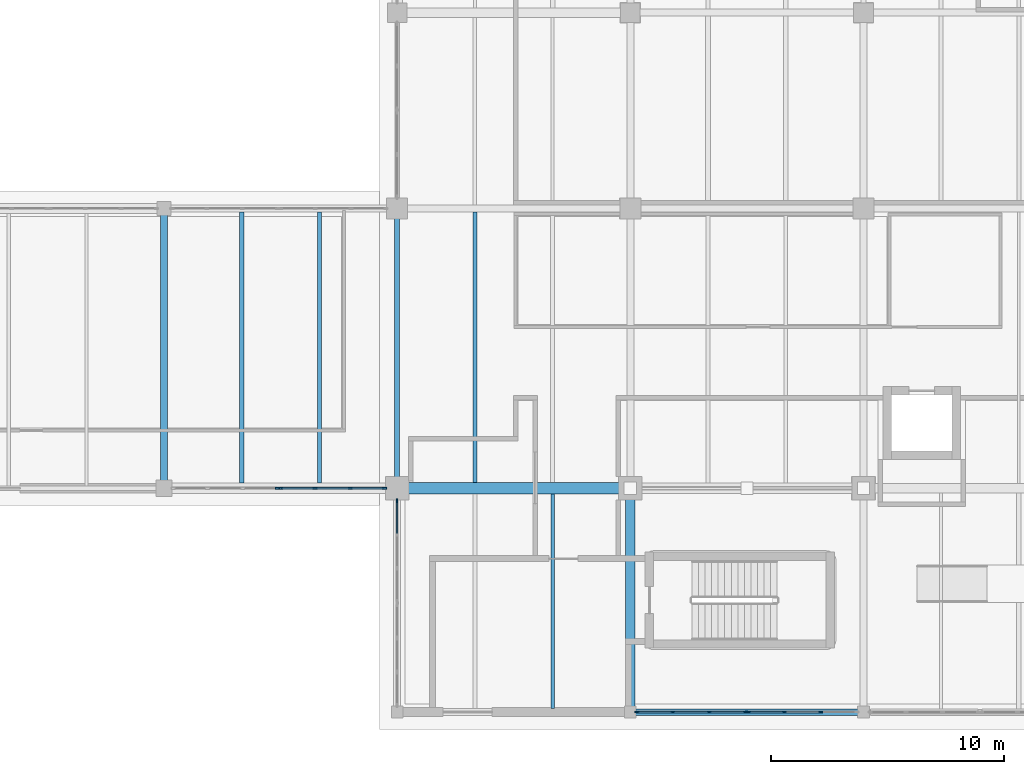
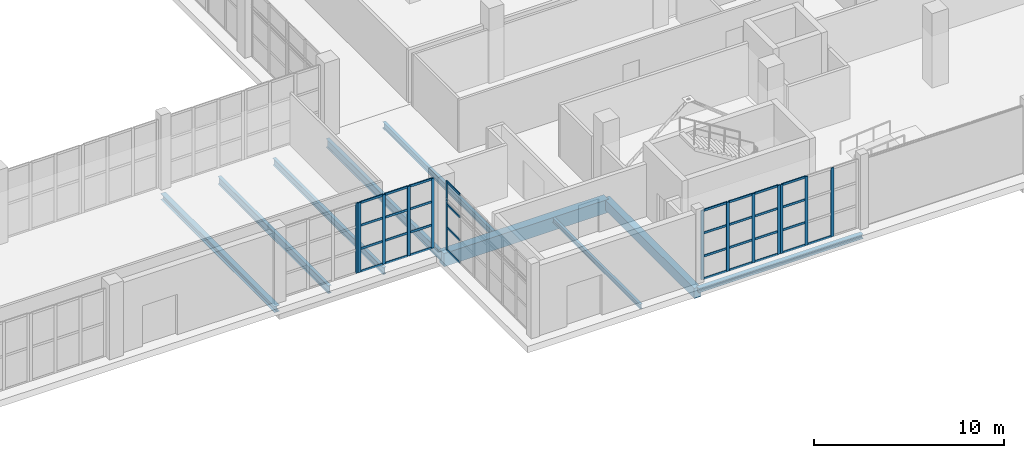
# One storey, part 32 of 121: 46 members, 9 beams, 5 elements without a shape of their own.
"""IFC4 building model written with IfcOpenShell, lengths in metres."""

from ifc_helpers import new_model, si_unit, direction, frame, origin, origin_2d, place, context, subcontext, project, spatial, rectangle, i_section, extrude, material, layer, layer_set, material_profile, profile_set, type_object, element, aggregate, save


model = new_model("IFC4")

# Units and contexts
model_context = context("Model", 3, precision=1e-05, world=origin(), true_north=direction((0.0, 1.0)))
body_context = subcontext(model_context, "Body", "Model", "MODEL_VIEW")
ifc_project = project(units=[si_unit("LENGTHUNIT", "METRE"), si_unit("AREAUNIT", "SQUARE_METRE"), si_unit("VOLUMEUNIT", "CUBIC_METRE"), si_unit("PLANEANGLEUNIT", "RADIAN"), si_unit("MASSUNIT", "GRAM", prefix="KILO")], contexts=[model_context])

# Site, building, storey
site_placement = place(None, origin())
site = spatial("IfcSite", under=ifc_project, at=site_placement, CompositionType="ELEMENT")
building_placement = place(site_placement, origin())
building = spatial("IfcBuilding", under=site, at=building_placement, Name="Zereglee Splitstone Museum", CompositionType="ELEMENT")
storey_placement = place(building_placement, origin())
storey = spatial("IfcBuildingStorey", under=building, at=storey_placement, Name="L00", CompositionType="ELEMENT", Elevation=0.0)

# Beams
ifc_material_1 = material(Name="Concrete C40/50", Category="concrete")
ifc_material_profile_1 = material_profile(ifc_material_1, rectangle(XDim=0.39990234375, YDim=0.64990234375, at=origin_2d()), Name="RC 400x650")
ifc_profile_set_1 = profile_set([ifc_material_profile_1], Name="Concrete C40/50")
beam_type_1 = type_object("IfcBeamType", Name="BG-04", PredefinedType="BEAM", material=ifc_profile_set_1)
beam_1_placement = place(storey_placement, frame((185.199951171875, 0.0, -0.7451171875), z_axis=(0.0, 1.0, 0.0), x_axis=(-1.0, 0.0, 0.0)))
element("IfcBeam", 1, at=beam_1_placement, inside=storey, type_object=beam_type_1, Name="Primary Girder L00 21 (0.0-9.6)", PredefinedType="BEAM", context=body_context, shape_type="SweptSolid", body=[
    extrude(rectangle(XDim=0.39990234375, YDim=0.64990234375, at=origin_2d()), origin(), (0.0, 0.0, 1.0), 9.60009765625),
])
ifc_material_profile_2 = material_profile(ifc_material_1, rectangle(XDim=0.5, YDim=0.85009765625, at=origin_2d()), Name="RC 500x850")
ifc_profile_set_2 = profile_set([ifc_material_profile_2], Name="Concrete C40/50")
beam_type_2 = type_object("IfcBeamType", Name="BG-02", PredefinedType="BEAM", material=ifc_profile_set_2)
beam_2_placement = place(storey_placement, frame((175.199951171875, 9.60009765625, -0.844970703125), z_axis=(1.0, 0.0, 0.0), x_axis=(0.0, 1.0, 0.0)))
element("IfcBeam", 2, at=beam_2_placement, inside=storey, type_object=beam_type_2, Name="Primary Girder L00 B (175.2-185.2)", PredefinedType="BEAM", context=body_context, shape_type="SweptSolid", body=[
    extrude(rectangle(XDim=0.5, YDim=0.85009765625, at=origin_2d()), origin(), (0.0, 0.0, 1.0), 10.0),
])

# Curtain wall, members
ifc_material_2 = material(Name="Triple-glazed low-E argon glass and bronze-anodised aluminium", Category="aluminium")
ifc_layer_1 = layer(ifc_material_2, 0.179931640625)
ifc_layer_set_1 = layer_set([ifc_layer_1], Name="Triple-glazed low-E argon glass and bronze-anodised aluminium")
curtain_wall_type_1 = type_object("IfcCurtainWallType", Name="CW-0470-444", PredefinedType="USERDEFINED", material=ifc_layer_set_1)
curtain_wall_1_placement = place(storey_placement, origin())
curtain_wall_1 = element("IfcCurtainWall", 3, at=curtain_wall_1_placement, inside=storey, type_object=curtain_wall_type_1, Name="Glazed Curtain Wall CW-0470-444 (L00)", ObjectType="GLAZED CURTAIN WALL", PredefinedType="USERDEFINED")
ifc_material_3 = material(Name="Thermally broken bronze-anodised aluminium", Category="aluminium")
ifc_material_profile_3 = material_profile(ifc_material_3, rectangle(XDim=0.06494140625, YDim=0.179931640625, at=origin_2d()), Name="CW MULL 65x180")
ifc_profile_set_3 = profile_set([ifc_material_profile_3], Name="Thermally broken bronze-anodised aluminium")
member_type_1 = type_object("IfcMemberType", Name="CWM-01", PredefinedType="MULLION", material=ifc_profile_set_3)
member_1_placement = place(storey_placement, frame((185.490478515625, 0.0, 0.0), z_axis=(0.0, 0.0, 1.0), x_axis=(0.0, 1.0, 0.0)))
member_1 = element("IfcMember", 4, at=member_1_placement, type_object=member_type_1, Name="CW-0470-444 mullion 1", PredefinedType="MULLION", context=body_context, shape_type="SweptSolid", body=[
    extrude(rectangle(XDim=0.06494140625, YDim=0.179931640625, at=origin_2d()), origin(), (0.0, 0.0, 1.0), 4.43994140625),
])
member_2_placement = place(storey_placement, frame((187.025390625, 0.0, 0.0), z_axis=(0.0, 0.0, 1.0), x_axis=(0.0, 1.0, 0.0)))
member_2 = element("IfcMember", 5, at=member_2_placement, type_object=member_type_1, Name="CW-0470-444 mullion 2", PredefinedType="MULLION", context=body_context, shape_type="SweptSolid", body=[
    extrude(rectangle(XDim=0.06494140625, YDim=0.179931640625, at=origin_2d()), origin(), (0.0, 0.0, 1.0), 4.43994140625),
])
member_3_placement = place(storey_placement, frame((188.5927734375, 0.0, 0.0), z_axis=(0.0, 0.0, 1.0), x_axis=(0.0, 1.0, 0.0)))
member_3 = element("IfcMember", 6, at=member_3_placement, type_object=member_type_1, Name="CW-0470-444 mullion 3", PredefinedType="MULLION", context=body_context, shape_type="SweptSolid", body=[
    extrude(rectangle(XDim=0.06494140625, YDim=0.179931640625, at=origin_2d()), origin(), (0.0, 0.0, 1.0), 4.43994140625),
])
member_4_placement = place(storey_placement, frame((190.12744140625, 0.0, 0.0), z_axis=(0.0, 0.0, 1.0), x_axis=(0.0, 1.0, 0.0)))
member_4 = element("IfcMember", 7, at=member_4_placement, type_object=member_type_1, Name="CW-0470-444 mullion 4", PredefinedType="MULLION", context=body_context, shape_type="SweptSolid", body=[
    extrude(rectangle(XDim=0.06494140625, YDim=0.179931640625, at=origin_2d()), origin(), (0.0, 0.0, 1.0), 4.43994140625),
])

ifc_layer_2 = layer(ifc_material_2, 0.179931640625)
ifc_layer_set_2 = layer_set([ifc_layer_2], Name="Triple-glazed low-E argon glass and bronze-anodised aluminium")
curtain_wall_type_2 = type_object("IfcCurtainWallType", Name="CW-0470-442", PredefinedType="USERDEFINED", material=ifc_layer_set_2)
curtain_wall_2_placement = place(storey_placement, origin())
curtain_wall_2 = element("IfcCurtainWall", 8, at=curtain_wall_2_placement, inside=storey, type_object=curtain_wall_type_2, Name="Glazed Curtain Wall CW-0470-442 (L00)", ObjectType="GLAZED CURTAIN WALL", PredefinedType="USERDEFINED")
member_5_placement = place(storey_placement, frame((190.2724609375, 0.0, 0.0), z_axis=(0.0, 0.0, 1.0), x_axis=(0.0, 1.0, 0.0)))
member_5 = element("IfcMember", 9, at=member_5_placement, type_object=member_type_1, Name="CW-0470-442 mullion 1", PredefinedType="MULLION", context=body_context, shape_type="SweptSolid", body=[
    extrude(rectangle(XDim=0.06494140625, YDim=0.179931640625, at=origin_2d()), origin(), (0.0, 0.0, 1.0), 4.419921875),
])
member_6_placement = place(storey_placement, frame((191.807373046875, 0.0, 0.0), z_axis=(0.0, 0.0, 1.0), x_axis=(0.0, 1.0, 0.0)))
member_6 = element("IfcMember", 10, at=member_6_placement, type_object=member_type_1, Name="CW-0470-442 mullion 2", PredefinedType="MULLION", context=body_context, shape_type="SweptSolid", body=[
    extrude(rectangle(XDim=0.06494140625, YDim=0.179931640625, at=origin_2d()), origin(), (0.0, 0.0, 1.0), 4.419921875),
])
member_7_placement = place(storey_placement, frame((193.374755859375, 0.0, 0.0), z_axis=(0.0, 0.0, 1.0), x_axis=(0.0, 1.0, 0.0)))
member_7 = element("IfcMember", 11, at=member_7_placement, type_object=member_type_1, Name="CW-0470-442 mullion 3", PredefinedType="MULLION", context=body_context, shape_type="SweptSolid", body=[
    extrude(rectangle(XDim=0.06494140625, YDim=0.179931640625, at=origin_2d()), origin(), (0.0, 0.0, 1.0), 4.419921875),
])

# Curtain wall, member
ifc_layer_3 = layer(ifc_material_2, 0.179931640625)
ifc_layer_set_3 = layer_set([ifc_layer_3], Name="Triple-glazed low-E argon glass and bronze-anodised aluminium")
curtain_wall_type_3 = type_object("IfcCurtainWallType", Name="CW-0453-450", PredefinedType="USERDEFINED", material=ifc_layer_set_3)
curtain_wall_3_placement = place(storey_placement, origin())
curtain_wall_3 = element("IfcCurtainWall", 12, at=curtain_wall_3_placement, inside=storey, type_object=curtain_wall_type_3, Name="Glazed Curtain Wall CW-0453-450 (L00)", ObjectType="GLAZED CURTAIN WALL", PredefinedType="USERDEFINED")
member_8_placement = place(storey_placement, frame((170.052490234375, 9.60009765625, 0.0), z_axis=(0.0, 0.0, 1.0), x_axis=(0.0, 1.0, 0.0)))
member_8 = element("IfcMember", 13, at=member_8_placement, type_object=member_type_1, Name="CW-0453-450 mullion 4", PredefinedType="MULLION", context=body_context, shape_type="SweptSolid", body=[
    extrude(rectangle(XDim=0.06494140625, YDim=0.179931640625, at=origin_2d()), origin(), (0.0, 0.0, 1.0), 4.5),
])
aggregate(curtain_wall_3, [member_8])

# Curtain wall, members
ifc_layer_4 = layer(ifc_material_2, 0.179931640625)
ifc_layer_set_4 = layer_set([ifc_layer_4], Name="Triple-glazed low-E argon glass and bronze-anodised aluminium")
curtain_wall_type_4 = type_object("IfcCurtainWallType", Name="CW-0453-448", PredefinedType="USERDEFINED", material=ifc_layer_set_4)
curtain_wall_4_placement = place(storey_placement, origin())
curtain_wall_4 = element("IfcCurtainWall", 14, at=curtain_wall_4_placement, inside=storey, type_object=curtain_wall_type_4, Name="Glazed Curtain Wall CW-0453-448 (L00)", ObjectType="GLAZED CURTAIN WALL", PredefinedType="USERDEFINED")
member_9_placement = place(storey_placement, frame((170.197509765625, 9.60009765625, 0.0), z_axis=(0.0, 0.0, 1.0), x_axis=(0.0, 1.0, 0.0)))
member_9 = element("IfcMember", 15, at=member_9_placement, type_object=member_type_1, Name="CW-0453-448 mullion 1", PredefinedType="MULLION", context=body_context, shape_type="SweptSolid", body=[
    extrude(rectangle(XDim=0.06494140625, YDim=0.179931640625, at=origin_2d()), origin(), (0.0, 0.0, 1.0), 4.47998046875),
])
member_10_placement = place(storey_placement, frame((171.674072265625, 9.60009765625, 0.0), z_axis=(0.0, 0.0, 1.0), x_axis=(0.0, 1.0, 0.0)))
member_10 = element("IfcMember", 16, at=member_10_placement, type_object=member_type_1, Name="CW-0453-448 mullion 2", PredefinedType="MULLION", context=body_context, shape_type="SweptSolid", body=[
    extrude(rectangle(XDim=0.06494140625, YDim=0.179931640625, at=origin_2d()), origin(), (0.0, 0.0, 1.0), 4.47998046875),
])
member_11_placement = place(storey_placement, frame((173.18310546875, 9.60009765625, 0.0), z_axis=(0.0, 0.0, 1.0), x_axis=(0.0, 1.0, 0.0)))
member_11 = element("IfcMember", 17, at=member_11_placement, type_object=member_type_1, Name="CW-0453-448 mullion 3", PredefinedType="MULLION", context=body_context, shape_type="SweptSolid", body=[
    extrude(rectangle(XDim=0.06494140625, YDim=0.179931640625, at=origin_2d()), origin(), (0.0, 0.0, 1.0), 4.47998046875),
])
member_12_placement = place(storey_placement, frame((174.659423828125, 9.60009765625, 0.0), z_axis=(0.0, 0.0, 1.0), x_axis=(0.0, 1.0, 0.0)))
member_12 = element("IfcMember", 18, at=member_12_placement, type_object=member_type_1, Name="CW-0453-448 mullion 4", PredefinedType="MULLION", context=body_context, shape_type="SweptSolid", body=[
    extrude(rectangle(XDim=0.06494140625, YDim=0.179931640625, at=origin_2d()), origin(), (0.0, 0.0, 1.0), 4.47998046875),
])

# Curtain wall, member
ifc_layer_5 = layer(ifc_material_2, 0.179931640625)
ifc_layer_set_5 = layer_set([ifc_layer_5], Name="Triple-glazed low-E argon glass and bronze-anodised aluminium")
curtain_wall_type_5 = type_object("IfcCurtainWallType", Name="CW-0438-444", PredefinedType="USERDEFINED", material=ifc_layer_set_5)
curtain_wall_5_placement = place(storey_placement, origin())
curtain_wall_5 = element("IfcCurtainWall", 19, at=curtain_wall_5_placement, inside=storey, type_object=curtain_wall_type_5, Name="Glazed Curtain Wall CW-0438-444 (L00)", ObjectType="GLAZED CURTAIN WALL", PredefinedType="USERDEFINED")
member_13_placement = place(storey_placement, frame((175.199951171875, 9.0595703125, 0.0), z_axis=(0.0, 0.0, 1.0), x_axis=(1.0, 0.0, 0.0)))
member_13 = element("IfcMember", 20, at=member_13_placement, type_object=member_type_1, Name="CW-0438-444 mullion 1", PredefinedType="MULLION", context=body_context, shape_type="SweptSolid", body=[
    extrude(rectangle(XDim=0.06494140625, YDim=0.179931640625, at=origin_2d()), origin(), (0.0, 0.0, 1.0), 4.43994140625),
])

# Member
ifc_material_profile_4 = material_profile(ifc_material_3, rectangle(XDim=0.06494140625, YDim=0.139892578125, at=origin_2d()), Name="CW TRAN 65x140")
ifc_profile_set_4 = profile_set([ifc_material_profile_4], Name="Thermally broken bronze-anodised aluminium")
member_type_2 = type_object("IfcMemberType", Name="CWT-01", PredefinedType="USERDEFINED", material=ifc_profile_set_4)
member_14_placement = place(storey_placement, frame((185.52294921875, 0.0, 0.032470703125), z_axis=(1.0, 0.0, 0.0), x_axis=(0.0, 1.0, 0.0)))
member_14 = element("IfcMember", 21, at=member_14_placement, type_object=member_type_2, Name="CW-0470-444 transom 1.1", ObjectType="TRANSOM", PredefinedType="USERDEFINED", context=body_context, shape_type="SweptSolid", body=[
    extrude(rectangle(XDim=0.06494140625, YDim=0.139892578125, at=origin_2d()), origin(), (0.0, 0.0, 1.0), 1.469970703125),
])

member_15_placement = place(storey_placement, frame((185.52294921875, 0.0, 1.47998046875), z_axis=(1.0, 0.0, 0.0), x_axis=(0.0, 1.0, 0.0)))
member_15 = element("IfcMember", 22, at=member_15_placement, type_object=member_type_2, Name="CW-0470-444 transom 1.2", ObjectType="TRANSOM", PredefinedType="USERDEFINED", context=body_context, shape_type="SweptSolid", body=[
    extrude(rectangle(XDim=0.06494140625, YDim=0.139892578125, at=origin_2d()), origin(), (0.0, 0.0, 1.0), 1.469970703125),
])

member_16_placement = place(storey_placement, frame((185.52294921875, 0.0, 2.9599609375), z_axis=(1.0, 0.0, 0.0), x_axis=(0.0, 1.0, 0.0)))
member_16 = element("IfcMember", 23, at=member_16_placement, type_object=member_type_2, Name="CW-0470-444 transom 1.3", ObjectType="TRANSOM", PredefinedType="USERDEFINED", context=body_context, shape_type="SweptSolid", body=[
    extrude(rectangle(XDim=0.06494140625, YDim=0.139892578125, at=origin_2d()), origin(), (0.0, 0.0, 1.0), 1.469970703125),
])

member_17_placement = place(storey_placement, frame((185.52294921875, 0.0, 4.407470703125), z_axis=(1.0, 0.0, 0.0), x_axis=(0.0, 1.0, 0.0)))
member_17 = element("IfcMember", 24, at=member_17_placement, type_object=member_type_2, Name="CW-0470-444 transom 1.4", ObjectType="TRANSOM", PredefinedType="USERDEFINED", context=body_context, shape_type="SweptSolid", body=[
    extrude(rectangle(XDim=0.06494140625, YDim=0.139892578125, at=origin_2d()), origin(), (0.0, 0.0, 1.0), 1.469970703125),
])

member_18_placement = place(storey_placement, frame((187.057861328125, 0.0, 0.032470703125), z_axis=(1.0, 0.0, 0.0), x_axis=(0.0, 1.0, 0.0)))
member_18 = element("IfcMember", 25, at=member_18_placement, type_object=member_type_2, Name="CW-0470-444 transom 2.1", ObjectType="TRANSOM", PredefinedType="USERDEFINED", context=body_context, shape_type="SweptSolid", body=[
    extrude(rectangle(XDim=0.06494140625, YDim=0.139892578125, at=origin_2d()), origin(), (0.0, 0.0, 1.0), 1.502197265625),
])

member_19_placement = place(storey_placement, frame((187.057861328125, 0.0, 1.47998046875), z_axis=(1.0, 0.0, 0.0), x_axis=(0.0, 1.0, 0.0)))
member_19 = element("IfcMember", 26, at=member_19_placement, type_object=member_type_2, Name="CW-0470-444 transom 2.2", ObjectType="TRANSOM", PredefinedType="USERDEFINED", context=body_context, shape_type="SweptSolid", body=[
    extrude(rectangle(XDim=0.06494140625, YDim=0.139892578125, at=origin_2d()), origin(), (0.0, 0.0, 1.0), 1.502197265625),
])

member_20_placement = place(storey_placement, frame((187.057861328125, 0.0, 2.9599609375), z_axis=(1.0, 0.0, 0.0), x_axis=(0.0, 1.0, 0.0)))
member_20 = element("IfcMember", 27, at=member_20_placement, type_object=member_type_2, Name="CW-0470-444 transom 2.3", ObjectType="TRANSOM", PredefinedType="USERDEFINED", context=body_context, shape_type="SweptSolid", body=[
    extrude(rectangle(XDim=0.06494140625, YDim=0.139892578125, at=origin_2d()), origin(), (0.0, 0.0, 1.0), 1.502197265625),
])

member_21_placement = place(storey_placement, frame((187.057861328125, 0.0, 4.407470703125), z_axis=(1.0, 0.0, 0.0), x_axis=(0.0, 1.0, 0.0)))
member_21 = element("IfcMember", 28, at=member_21_placement, type_object=member_type_2, Name="CW-0470-444 transom 2.4", ObjectType="TRANSOM", PredefinedType="USERDEFINED", context=body_context, shape_type="SweptSolid", body=[
    extrude(rectangle(XDim=0.06494140625, YDim=0.139892578125, at=origin_2d()), origin(), (0.0, 0.0, 1.0), 1.502197265625),
])

member_22_placement = place(storey_placement, frame((188.625244140625, 0.0, 0.032470703125), z_axis=(1.0, 0.0, 0.0), x_axis=(0.0, 1.0, 0.0)))
member_22 = element("IfcMember", 29, at=member_22_placement, type_object=member_type_2, Name="CW-0470-444 transom 3.1", ObjectType="TRANSOM", PredefinedType="USERDEFINED", context=body_context, shape_type="SweptSolid", body=[
    extrude(rectangle(XDim=0.06494140625, YDim=0.139892578125, at=origin_2d()), origin(), (0.0, 0.0, 1.0), 1.4697265625),
])

member_23_placement = place(storey_placement, frame((188.625244140625, 0.0, 1.47998046875), z_axis=(1.0, 0.0, 0.0), x_axis=(0.0, 1.0, 0.0)))
member_23 = element("IfcMember", 30, at=member_23_placement, type_object=member_type_2, Name="CW-0470-444 transom 3.2", ObjectType="TRANSOM", PredefinedType="USERDEFINED", context=body_context, shape_type="SweptSolid", body=[
    extrude(rectangle(XDim=0.06494140625, YDim=0.139892578125, at=origin_2d()), origin(), (0.0, 0.0, 1.0), 1.4697265625),
])

member_24_placement = place(storey_placement, frame((188.625244140625, 0.0, 2.9599609375), z_axis=(1.0, 0.0, 0.0), x_axis=(0.0, 1.0, 0.0)))
member_24 = element("IfcMember", 31, at=member_24_placement, type_object=member_type_2, Name="CW-0470-444 transom 3.3", ObjectType="TRANSOM", PredefinedType="USERDEFINED", context=body_context, shape_type="SweptSolid", body=[
    extrude(rectangle(XDim=0.06494140625, YDim=0.139892578125, at=origin_2d()), origin(), (0.0, 0.0, 1.0), 1.4697265625),
])

member_25_placement = place(storey_placement, frame((188.625244140625, 0.0, 4.407470703125), z_axis=(1.0, 0.0, 0.0), x_axis=(0.0, 1.0, 0.0)))
member_25 = element("IfcMember", 32, at=member_25_placement, type_object=member_type_2, Name="CW-0470-444 transom 3.4", ObjectType="TRANSOM", PredefinedType="USERDEFINED", context=body_context, shape_type="SweptSolid", body=[
    extrude(rectangle(XDim=0.06494140625, YDim=0.139892578125, at=origin_2d()), origin(), (0.0, 0.0, 1.0), 1.4697265625),
])

aggregate(curtain_wall_1, [member_1, member_2, member_3, member_4, member_14, member_15, member_16, member_17, member_18, member_19, member_20, member_21, member_22, member_23, member_24, member_25])

member_26_placement = place(storey_placement, frame((190.304931640625, 0.0, 0.032470703125), z_axis=(1.0, 0.0, 0.0), x_axis=(0.0, 1.0, 0.0)))
member_26 = element("IfcMember", 33, at=member_26_placement, type_object=member_type_2, Name="CW-0470-442 transom 1.1", ObjectType="TRANSOM", PredefinedType="USERDEFINED", context=body_context, shape_type="SweptSolid", body=[
    extrude(rectangle(XDim=0.06494140625, YDim=0.139892578125, at=origin_2d()), origin(), (0.0, 0.0, 1.0), 1.469970703125),
])

member_27_placement = place(storey_placement, frame((190.304931640625, 0.0, 1.473388671875), z_axis=(1.0, 0.0, 0.0), x_axis=(0.0, 1.0, 0.0)))
member_27 = element("IfcMember", 34, at=member_27_placement, type_object=member_type_2, Name="CW-0470-442 transom 1.2", ObjectType="TRANSOM", PredefinedType="USERDEFINED", context=body_context, shape_type="SweptSolid", body=[
    extrude(rectangle(XDim=0.06494140625, YDim=0.139892578125, at=origin_2d()), origin(), (0.0, 0.0, 1.0), 1.469970703125),
])

member_28_placement = place(storey_placement, frame((190.304931640625, 0.0, 2.94677734375), z_axis=(1.0, 0.0, 0.0), x_axis=(0.0, 1.0, 0.0)))
member_28 = element("IfcMember", 35, at=member_28_placement, type_object=member_type_2, Name="CW-0470-442 transom 1.3", ObjectType="TRANSOM", PredefinedType="USERDEFINED", context=body_context, shape_type="SweptSolid", body=[
    extrude(rectangle(XDim=0.06494140625, YDim=0.139892578125, at=origin_2d()), origin(), (0.0, 0.0, 1.0), 1.469970703125),
])

member_29_placement = place(storey_placement, frame((190.304931640625, 0.0, 4.387451171875), z_axis=(1.0, 0.0, 0.0), x_axis=(0.0, 1.0, 0.0)))
member_29 = element("IfcMember", 36, at=member_29_placement, type_object=member_type_2, Name="CW-0470-442 transom 1.4", ObjectType="TRANSOM", PredefinedType="USERDEFINED", context=body_context, shape_type="SweptSolid", body=[
    extrude(rectangle(XDim=0.06494140625, YDim=0.139892578125, at=origin_2d()), origin(), (0.0, 0.0, 1.0), 1.469970703125),
])

member_30_placement = place(storey_placement, frame((191.83984375, 0.0, 0.032470703125), z_axis=(1.0, 0.0, 0.0), x_axis=(0.0, 1.0, 0.0)))
member_30 = element("IfcMember", 37, at=member_30_placement, type_object=member_type_2, Name="CW-0470-442 transom 2.1", ObjectType="TRANSOM", PredefinedType="USERDEFINED", context=body_context, shape_type="SweptSolid", body=[
    extrude(rectangle(XDim=0.06494140625, YDim=0.139892578125, at=origin_2d()), origin(), (0.0, 0.0, 1.0), 1.50244140625),
])

aggregate(curtain_wall_2, [member_5, member_6, member_7, member_26, member_27, member_28, member_29, member_30])

member_31_placement = place(storey_placement, frame((170.22998046875, 9.60009765625, 0.032470703125), z_axis=(1.0, 0.0, 0.0), x_axis=(0.0, 1.0, 0.0)))
member_31 = element("IfcMember", 38, at=member_31_placement, type_object=member_type_2, Name="CW-0453-448 transom 1.1", ObjectType="TRANSOM", PredefinedType="USERDEFINED", context=body_context, shape_type="SweptSolid", body=[
    extrude(rectangle(XDim=0.06494140625, YDim=0.139892578125, at=origin_2d()), origin(), (0.0, 0.0, 1.0), 1.41162109375),
])

member_32_placement = place(storey_placement, frame((170.22998046875, 9.60009765625, 1.493408203125), z_axis=(1.0, 0.0, 0.0), x_axis=(0.0, 1.0, 0.0)))
member_32 = element("IfcMember", 39, at=member_32_placement, type_object=member_type_2, Name="CW-0453-448 transom 1.2", ObjectType="TRANSOM", PredefinedType="USERDEFINED", context=body_context, shape_type="SweptSolid", body=[
    extrude(rectangle(XDim=0.06494140625, YDim=0.139892578125, at=origin_2d()), origin(), (0.0, 0.0, 1.0), 1.41162109375),
])

member_33_placement = place(storey_placement, frame((170.22998046875, 9.60009765625, 2.98681640625), z_axis=(1.0, 0.0, 0.0), x_axis=(0.0, 1.0, 0.0)))
member_33 = element("IfcMember", 40, at=member_33_placement, type_object=member_type_2, Name="CW-0453-448 transom 1.3", ObjectType="TRANSOM", PredefinedType="USERDEFINED", context=body_context, shape_type="SweptSolid", body=[
    extrude(rectangle(XDim=0.06494140625, YDim=0.139892578125, at=origin_2d()), origin(), (0.0, 0.0, 1.0), 1.41162109375),
])

member_34_placement = place(storey_placement, frame((170.22998046875, 9.60009765625, 4.447509765625), z_axis=(1.0, 0.0, 0.0), x_axis=(0.0, 1.0, 0.0)))
member_34 = element("IfcMember", 41, at=member_34_placement, type_object=member_type_2, Name="CW-0453-448 transom 1.4", ObjectType="TRANSOM", PredefinedType="USERDEFINED", context=body_context, shape_type="SweptSolid", body=[
    extrude(rectangle(XDim=0.06494140625, YDim=0.139892578125, at=origin_2d()), origin(), (0.0, 0.0, 1.0), 1.41162109375),
])

member_35_placement = place(storey_placement, frame((171.70654296875, 9.60009765625, 0.032470703125), z_axis=(1.0, 0.0, 0.0), x_axis=(0.0, 1.0, 0.0)))
member_35 = element("IfcMember", 42, at=member_35_placement, type_object=member_type_2, Name="CW-0453-448 transom 2.1", ObjectType="TRANSOM", PredefinedType="USERDEFINED", context=body_context, shape_type="SweptSolid", body=[
    extrude(rectangle(XDim=0.06494140625, YDim=0.139892578125, at=origin_2d()), origin(), (0.0, 0.0, 1.0), 1.44384765625),
])

member_36_placement = place(storey_placement, frame((171.70654296875, 9.60009765625, 1.493408203125), z_axis=(1.0, 0.0, 0.0), x_axis=(0.0, 1.0, 0.0)))
member_36 = element("IfcMember", 43, at=member_36_placement, type_object=member_type_2, Name="CW-0453-448 transom 2.2", ObjectType="TRANSOM", PredefinedType="USERDEFINED", context=body_context, shape_type="SweptSolid", body=[
    extrude(rectangle(XDim=0.06494140625, YDim=0.139892578125, at=origin_2d()), origin(), (0.0, 0.0, 1.0), 1.44384765625),
])

member_37_placement = place(storey_placement, frame((171.70654296875, 9.60009765625, 2.98681640625), z_axis=(1.0, 0.0, 0.0), x_axis=(0.0, 1.0, 0.0)))
member_37 = element("IfcMember", 44, at=member_37_placement, type_object=member_type_2, Name="CW-0453-448 transom 2.3", ObjectType="TRANSOM", PredefinedType="USERDEFINED", context=body_context, shape_type="SweptSolid", body=[
    extrude(rectangle(XDim=0.06494140625, YDim=0.139892578125, at=origin_2d()), origin(), (0.0, 0.0, 1.0), 1.44384765625),
])

member_38_placement = place(storey_placement, frame((171.70654296875, 9.60009765625, 4.447509765625), z_axis=(1.0, 0.0, 0.0), x_axis=(0.0, 1.0, 0.0)))
member_38 = element("IfcMember", 45, at=member_38_placement, type_object=member_type_2, Name="CW-0453-448 transom 2.4", ObjectType="TRANSOM", PredefinedType="USERDEFINED", context=body_context, shape_type="SweptSolid", body=[
    extrude(rectangle(XDim=0.06494140625, YDim=0.139892578125, at=origin_2d()), origin(), (0.0, 0.0, 1.0), 1.44384765625),
])

member_39_placement = place(storey_placement, frame((173.215576171875, 9.60009765625, 0.032470703125), z_axis=(1.0, 0.0, 0.0), x_axis=(0.0, 1.0, 0.0)))
member_39 = element("IfcMember", 46, at=member_39_placement, type_object=member_type_2, Name="CW-0453-448 transom 3.1", ObjectType="TRANSOM", PredefinedType="USERDEFINED", context=body_context, shape_type="SweptSolid", body=[
    extrude(rectangle(XDim=0.06494140625, YDim=0.139892578125, at=origin_2d()), origin(), (0.0, 0.0, 1.0), 1.411376953125),
])

member_40_placement = place(storey_placement, frame((173.215576171875, 9.60009765625, 1.493408203125), z_axis=(1.0, 0.0, 0.0), x_axis=(0.0, 1.0, 0.0)))
member_40 = element("IfcMember", 47, at=member_40_placement, type_object=member_type_2, Name="CW-0453-448 transom 3.2", ObjectType="TRANSOM", PredefinedType="USERDEFINED", context=body_context, shape_type="SweptSolid", body=[
    extrude(rectangle(XDim=0.06494140625, YDim=0.139892578125, at=origin_2d()), origin(), (0.0, 0.0, 1.0), 1.411376953125),
])

member_41_placement = place(storey_placement, frame((173.215576171875, 9.60009765625, 2.98681640625), z_axis=(1.0, 0.0, 0.0), x_axis=(0.0, 1.0, 0.0)))
member_41 = element("IfcMember", 48, at=member_41_placement, type_object=member_type_2, Name="CW-0453-448 transom 3.3", ObjectType="TRANSOM", PredefinedType="USERDEFINED", context=body_context, shape_type="SweptSolid", body=[
    extrude(rectangle(XDim=0.06494140625, YDim=0.139892578125, at=origin_2d()), origin(), (0.0, 0.0, 1.0), 1.411376953125),
])

member_42_placement = place(storey_placement, frame((173.215576171875, 9.60009765625, 4.447509765625), z_axis=(1.0, 0.0, 0.0), x_axis=(0.0, 1.0, 0.0)))
member_42 = element("IfcMember", 49, at=member_42_placement, type_object=member_type_2, Name="CW-0453-448 transom 3.4", ObjectType="TRANSOM", PredefinedType="USERDEFINED", context=body_context, shape_type="SweptSolid", body=[
    extrude(rectangle(XDim=0.06494140625, YDim=0.139892578125, at=origin_2d()), origin(), (0.0, 0.0, 1.0), 1.411376953125),
])

aggregate(curtain_wall_4, [member_9, member_10, member_11, member_12, member_31, member_32, member_33, member_34, member_35, member_36, member_37, member_38, member_39, member_40, member_41, member_42])

member_43_placement = place(storey_placement, frame((175.199951171875, 9.027099609375, 0.032470703125), z_axis=(0.0, -1.0, 0.0), x_axis=(1.0, 0.0, 0.0)))
member_43 = element("IfcMember", 50, at=member_43_placement, type_object=member_type_2, Name="CW-0438-444 transom 1.1", ObjectType="TRANSOM", PredefinedType="USERDEFINED", context=body_context, shape_type="SweptSolid", body=[
    extrude(rectangle(XDim=0.06494140625, YDim=0.139892578125, at=origin_2d()), origin(), (0.0, 0.0, 1.0), 1.361572265625),
])

member_44_placement = place(storey_placement, frame((175.199951171875, 9.027099609375, 1.47998046875), z_axis=(0.0, -1.0, 0.0), x_axis=(1.0, 0.0, 0.0)))
member_44 = element("IfcMember", 51, at=member_44_placement, type_object=member_type_2, Name="CW-0438-444 transom 1.2", ObjectType="TRANSOM", PredefinedType="USERDEFINED", context=body_context, shape_type="SweptSolid", body=[
    extrude(rectangle(XDim=0.06494140625, YDim=0.139892578125, at=origin_2d()), origin(), (0.0, 0.0, 1.0), 1.361572265625),
])

member_45_placement = place(storey_placement, frame((175.199951171875, 9.027099609375, 2.9599609375), z_axis=(0.0, -1.0, 0.0), x_axis=(1.0, 0.0, 0.0)))
member_45 = element("IfcMember", 52, at=member_45_placement, type_object=member_type_2, Name="CW-0438-444 transom 1.3", ObjectType="TRANSOM", PredefinedType="USERDEFINED", context=body_context, shape_type="SweptSolid", body=[
    extrude(rectangle(XDim=0.06494140625, YDim=0.139892578125, at=origin_2d()), origin(), (0.0, 0.0, 1.0), 1.361572265625),
])

member_46_placement = place(storey_placement, frame((175.199951171875, 9.027099609375, 4.407470703125), z_axis=(0.0, -1.0, 0.0), x_axis=(1.0, 0.0, 0.0)))
member_46 = element("IfcMember", 53, at=member_46_placement, type_object=member_type_2, Name="CW-0438-444 transom 1.4", ObjectType="TRANSOM", PredefinedType="USERDEFINED", context=body_context, shape_type="SweptSolid", body=[
    extrude(rectangle(XDim=0.06494140625, YDim=0.139892578125, at=origin_2d()), origin(), (0.0, 0.0, 1.0), 1.361572265625),
])

aggregate(curtain_wall_5, [member_13, member_43, member_44, member_45, member_46])

# Beams
ifc_material_4 = material(Name="Steel S355J2", Category="steel")
ifc_material_profile_5 = material_profile(ifc_material_4, i_section(OverallWidth=0.300048828125, OverallDepth=0.39990234375, WebThickness=0.013427734375, FlangeThickness=0.02392578125, FilletRadius=0.027099609375, at=origin_2d()), Name="HE 400 B")
ifc_profile_set_5 = profile_set([ifc_material_profile_5], Name="Steel S355J2")
beam_type_3 = type_object("IfcBeamType", Name="BG-13", PredefinedType="BEAM", material=ifc_profile_set_5)
beam_3_placement = place(storey_placement, frame((165.199951171875, 9.60009765625, -0.6201171875), z_axis=(0.0, 1.0, 0.0), x_axis=(-1.0, 0.0, 0.0)))
element("IfcBeam", 54, at=beam_3_placement, inside=storey, type_object=beam_type_3, Name="Primary Girder L00 19 (9.6-21.6)", PredefinedType="BEAM", context=body_context, shape_type="SweptSolid", body=[
    extrude(i_section(OverallWidth=0.300048828125, OverallDepth=0.39990234375, WebThickness=0.013427734375, FlangeThickness=0.02392578125, FilletRadius=0.027099609375, at=origin_2d()), origin(), (0.0, 0.0, 1.0), 12.0),
])
ifc_material_profile_6 = material_profile(ifc_material_4, i_section(OverallWidth=0.2099609375, OverallDepth=0.550048828125, WebThickness=0.010986328125, FlangeThickness=0.01708984375, FilletRadius=0.02392578125, at=origin_2d()), Name="IPE 550")
ifc_profile_set_6 = profile_set([ifc_material_profile_6], Name="Steel S355J2")
beam_type_4 = type_object("IfcBeamType", Name="BG-16", PredefinedType="BEAM", material=ifc_profile_set_6)
beam_4_placement = place(storey_placement, frame((175.199951171875, 9.60009765625, -0.695068359375), z_axis=(0.0, 1.0, 0.0), x_axis=(-1.0, 0.0, 0.0)))
element("IfcBeam", 55, at=beam_4_placement, inside=storey, type_object=beam_type_4, Name="Primary Girder L00 20 (9.6-21.6)", PredefinedType="BEAM", context=body_context, shape_type="SweptSolid", body=[
    extrude(i_section(OverallWidth=0.2099609375, OverallDepth=0.550048828125, WebThickness=0.010986328125, FlangeThickness=0.01708984375, FilletRadius=0.02392578125, at=origin_2d()), origin(), (0.0, 0.0, 1.0), 12.0),
])
ifc_material_profile_7 = material_profile(ifc_material_4, i_section(OverallWidth=0.14990234375, OverallDepth=0.300048828125, WebThickness=0.007080078125, FlangeThickness=0.0107421875, FilletRadius=0.014892578125, at=origin_2d()), Name="IPE 300")
ifc_profile_set_7 = profile_set([ifc_material_profile_7], Name="Steel S355J2")
beam_type_5 = type_object("IfcBeamType", Name="BJ-06", PredefinedType="JOIST", material=ifc_profile_set_7)
beam_5_placement = place(storey_placement, frame((181.86669921875, 0.14990234375, -0.570068359375), z_axis=(0.0, 1.0, 0.0), x_axis=(-1.0, 0.0, 0.0)))
element("IfcBeam", 56, at=beam_5_placement, inside=storey, type_object=beam_type_5, Name="Secondary Floor Joist L00-0264", PredefinedType="JOIST", context=body_context, shape_type="SweptSolid", body=[
    extrude(i_section(OverallWidth=0.14990234375, OverallDepth=0.300048828125, WebThickness=0.007080078125, FlangeThickness=0.0107421875, FilletRadius=0.014892578125, at=origin_2d()), origin(), (0.0, 0.0, 1.0), 9.2001953125),
])
ifc_material_profile_8 = material_profile(ifc_material_4, i_section(OverallWidth=0.179931640625, OverallDepth=0.39990234375, WebThickness=0.008544921875, FlangeThickness=0.013427734375, FilletRadius=0.02099609375, at=origin_2d()), Name="IPE 400")
ifc_profile_set_8 = profile_set([ifc_material_profile_8], Name="Steel S355J2")
beam_type_6 = type_object("IfcBeamType", Name="BJ-03", PredefinedType="JOIST", material=ifc_profile_set_8)
beam_6_placement = place(storey_placement, frame((178.533203125, 9.85009765625, -0.6201171875), z_axis=(0.0, 1.0, 0.0), x_axis=(-1.0, 0.0, 0.0)))
element("IfcBeam", 57, at=beam_6_placement, inside=storey, type_object=beam_type_6, Name="Secondary Floor Joist L00-0296", PredefinedType="JOIST", context=body_context, shape_type="SweptSolid", body=[
    extrude(i_section(OverallWidth=0.179931640625, OverallDepth=0.39990234375, WebThickness=0.008544921875, FlangeThickness=0.013427734375, FilletRadius=0.02099609375, at=origin_2d()), origin(), (0.0, 0.0, 1.0), 11.599853515625),
])
ifc_material_profile_9 = material_profile(ifc_material_4, i_section(OverallWidth=0.18994140625, OverallDepth=0.449951171875, WebThickness=0.009521484375, FlangeThickness=0.0146484375, FilletRadius=0.02099609375, at=origin_2d()), Name="IPE 450")
ifc_profile_set_9 = profile_set([ifc_material_profile_9], Name="Steel S355J2")
beam_type_7 = type_object("IfcBeamType", Name="BJ-02", PredefinedType="JOIST", material=ifc_profile_set_9)
beam_7_placement = place(storey_placement, frame((171.86669921875, 9.824951171875, -0.64501953125), z_axis=(0.0, 1.0, 0.0), x_axis=(-1.0, 0.0, 0.0)))
element("IfcBeam", 58, at=beam_7_placement, inside=storey, type_object=beam_type_7, Name="Secondary Floor Joist L00-0295", PredefinedType="JOIST", context=body_context, shape_type="SweptSolid", body=[
    extrude(i_section(OverallWidth=0.18994140625, OverallDepth=0.449951171875, WebThickness=0.009521484375, FlangeThickness=0.0146484375, FilletRadius=0.02099609375, at=origin_2d()), origin(), (0.0, 0.0, 1.0), 11.625),
])
ifc_material_profile_10 = material_profile(ifc_material_4, i_section(OverallWidth=0.199951171875, OverallDepth=0.5, WebThickness=0.01025390625, FlangeThickness=0.01611328125, FilletRadius=0.02099609375, at=origin_2d()), Name="IPE 500")
ifc_profile_set_10 = profile_set([ifc_material_profile_10], Name="Steel S355J2")
beam_type_8 = type_object("IfcBeamType", Name="BJ-01", PredefinedType="JOIST", material=ifc_profile_set_10)
beam_8_placement = place(storey_placement, frame((168.533203125, 9.824951171875, -0.669921875), z_axis=(0.0, 1.0, 0.0), x_axis=(-1.0, 0.0, 0.0)))
element("IfcBeam", 59, at=beam_8_placement, inside=storey, type_object=beam_type_8, Name="Secondary Floor Joist L00-0294", PredefinedType="JOIST", context=body_context, shape_type="SweptSolid", body=[
    extrude(i_section(OverallWidth=0.199951171875, OverallDepth=0.5, WebThickness=0.01025390625, FlangeThickness=0.01611328125, FilletRadius=0.02099609375, at=origin_2d()), origin(), (0.0, 0.0, 1.0), 11.625),
])
ifc_material_profile_11 = material_profile(ifc_material_4, i_section(OverallWidth=0.280029296875, OverallDepth=0.280029296875, WebThickness=0.010498046875, FlangeThickness=0.01806640625, FilletRadius=0.02392578125, at=origin_2d()), Name="HE 280 B")
ifc_profile_set_11 = profile_set([ifc_material_profile_11], Name="Steel S355J2")
beam_type_9 = type_object("IfcBeamType", Name="SP-03", PredefinedType="SPANDREL", material=ifc_profile_set_11)
beam_9_placement = place(storey_placement, frame((185.199951171875, 0.0, -0.56005859375), z_axis=(1.0, 0.0, 0.0), x_axis=(0.0, 1.0, 0.0)))
element("IfcBeam", 60, at=beam_9_placement, inside=storey, type_object=beam_type_9, Name="Primary Girder L00 A (185.2-195.2)", PredefinedType="SPANDREL", context=body_context, shape_type="SweptSolid", body=[
    extrude(i_section(OverallWidth=0.280029296875, OverallDepth=0.280029296875, WebThickness=0.010498046875, FlangeThickness=0.01806640625, FilletRadius=0.02392578125, at=origin_2d()), origin(), (0.0, 0.0, 1.0), 10.0),
])

save(model, "model.ifc")
